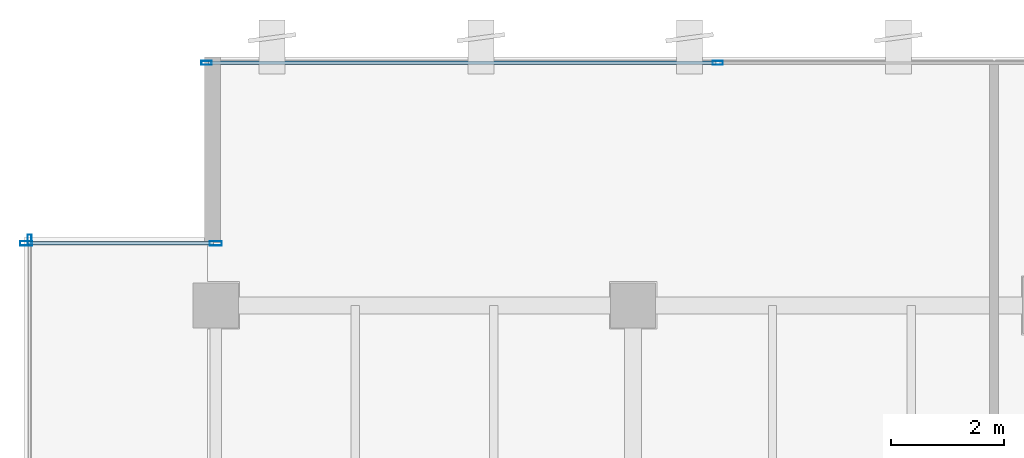
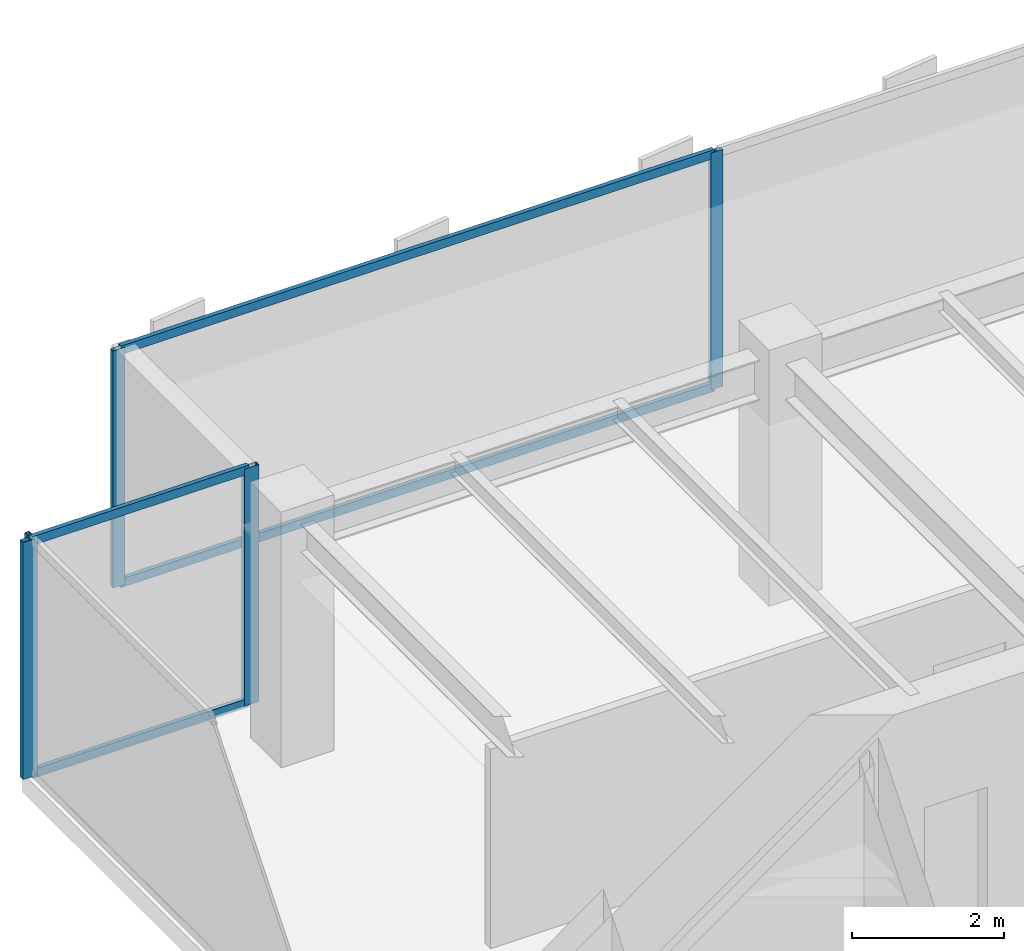
# One storey, part 15 of 36: 9 members, 3 elements without a shape of their own.
"""IFC4 building model written with IfcOpenShell, lengths in metres."""

from ifc_helpers import new_model, si_unit, direction, frame, origin, origin_2d, place, context, subcontext, project, spatial, hollow_rectangle, extrude, source, transform, mapped, material, layer, layer_set, material_profile, profile_set, type_object, type_shapes, element, aggregate, save


model = new_model("IFC4")

# Units and contexts
model_context = context("Model", 3, precision=1e-05, world=origin(), true_north=direction((0.0, 1.0)))
body_context = subcontext(model_context, "Body", "Model", "MODEL_VIEW")
ifc_project = project(units=[si_unit("LENGTHUNIT", "METRE"), si_unit("AREAUNIT", "SQUARE_METRE"), si_unit("VOLUMEUNIT", "CUBIC_METRE"), si_unit("PLANEANGLEUNIT", "RADIAN"), si_unit("MASSUNIT", "GRAM", prefix="KILO")], contexts=[model_context])

# Site, building, storey
site_placement = place(None, origin())
site = spatial("IfcSite", under=ifc_project, at=site_placement, CompositionType="ELEMENT")
building_placement = place(site_placement, origin())
building = spatial("IfcBuilding", under=site, at=building_placement, Name="Haelvirn Gate Laboratories", CompositionType="ELEMENT")
storey_placement = place(building_placement, frame((0.0, 0.0, 242.39990234375)))
storey = spatial("IfcBuildingStorey", under=building, at=storey_placement, Name="L58", CompositionType="ELEMENT", Elevation=242.39990234375)

# Curtain wall, members
ifc_material_1 = material(Name="Anodised bronze unitised aluminium & triple low-E glass", Category="aluminium")
ifc_layer_1 = layer(ifc_material_1, 0.181884765625, Name="CW-SYS-5")
ifc_layer_set_1 = layer_set([ifc_layer_1], Name="Anodised bronze unitised aluminium & triple low-E glass")
curtain_wall_type_1 = type_object("IfcCurtainWallType", Name="CW-SYS-5", PredefinedType="NOTDEFINED", material=ifc_layer_set_1)
curtain_wall_1_placement = place(storey_placement, origin())
curtain_wall_1 = element("IfcCurtainWall", 1, at=curtain_wall_1_placement, inside=storey, type_object=curtain_wall_type_1, Name="L58 Unitised Curtain Wall CW-L58-P0-E16-1", PredefinedType="NOTDEFINED")
ifc_material_2 = material(Name="Extruded aluminium 6063-T6 (anodised bronze)", Category="aluminium")
ifc_material_profile_1 = material_profile(ifc_material_2, hollow_rectangle(XDim=0.06494140625, YDim=0.139892578125, WallThickness=0.00390625, at=origin_2d()), Name="CWT-140x65x4")
ifc_profile_set_1 = profile_set([ifc_material_profile_1], Name="Extruded aluminium 6063-T6 (anodised bronze)")
member_type_1 = type_object("IfcMemberType", Name="CWT-T140", PredefinedType="USERDEFINED", material=ifc_profile_set_1)
shared_shape_1 = source(origin(), body_context, "Body", "SweptSolid", [
    extrude(hollow_rectangle(XDim=0.06494140625, YDim=0.139892578125, WallThickness=0.00390625, at=origin_2d()), origin(), (0.0, 0.0, 1.0), 3.280029296875),
])
member_1_placement = place(storey_placement, frame((4.080078125, 42.699951171875, 0.03271484375), z_axis=(1.0, 0.0, 0.0), x_axis=(0.0, 1.0, 0.0)))
member_1 = element("IfcMember", 2, at=member_1_placement, type_object=member_type_1, Name="CW5 transom 1.1", ObjectType="TRANSOM", PredefinedType="USERDEFINED", context=body_context, shape_type="MappedRepresentation", body=[
    mapped(shared_shape_1, transform((0.0, 0.0, 0.0), scale=1.0)),
])
member_2_placement = place(storey_placement, frame((4.080078125, 42.699951171875, 3.767578125), z_axis=(1.0, 0.0, 0.0), x_axis=(0.0, 1.0, 0.0)))
member_2 = element("IfcMember", 3, at=member_2_placement, type_object=member_type_1, Name="CW5 transom 1.2", ObjectType="TRANSOM", PredefinedType="USERDEFINED", context=body_context, shape_type="MappedRepresentation", body=[
    mapped(shared_shape_1, transform((0.0, 0.0, 0.0), scale=1.0)),
])

ifc_layer_2 = layer(ifc_material_1, 0.176025390625, Name="CW-SYS-4")
ifc_layer_set_2 = layer_set([ifc_layer_2], Name="Anodised bronze unitised aluminium & triple low-E glass")
curtain_wall_type_2 = type_object("IfcCurtainWallType", Name="CW-SYS-4", PredefinedType="NOTDEFINED", material=ifc_layer_set_2)
curtain_wall_2_placement = place(storey_placement, origin())
curtain_wall_2 = element("IfcCurtainWall", 4, at=curtain_wall_2_placement, inside=storey, type_object=curtain_wall_type_2, Name="L58 Unitised Curtain Wall CW-L58-P0-E14-1", PredefinedType="NOTDEFINED")
ifc_material_profile_2 = material_profile(ifc_material_2, hollow_rectangle(XDim=0.070068359375, YDim=0.179931640625, WallThickness=0.0048828125, at=origin_2d()), Name="CWM-180x70x5")
ifc_profile_set_2 = profile_set([ifc_material_profile_2], Name="Extruded aluminium 6063-T6 (anodised bronze)")
member_type_2 = type_object("IfcMemberType", Name="CWM-T180", PredefinedType="MULLION", material=ifc_profile_set_2)
shared_shape_2 = source(origin(), body_context, "Body", "SweptSolid", [
    extrude(hollow_rectangle(XDim=0.070068359375, YDim=0.179931640625, WallThickness=0.0048828125, at=origin_2d()), origin(), (0.0, 0.0, 1.0), 3.800048828125),
])
type_shapes(member_type_2, [shared_shape_2])
member_3_placement = place(storey_placement, frame((7.235107421875, 45.89990234375, 0.0), z_axis=(0.0, 0.0, 1.0), x_axis=(0.0, 1.0, 0.0)))
member_3 = element("IfcMember", 5, at=member_3_placement, type_object=member_type_2, Name="CW4 mullion 1", PredefinedType="MULLION", context=body_context, shape_type="MappedRepresentation", body=[
    mapped(shared_shape_2, transform((0.0, 0.0, 0.0), scale=1.0)),
])
member_4_placement = place(storey_placement, frame((16.300048828125, 45.89990234375, 0.0), z_axis=(0.0, 0.0, 1.0), x_axis=(0.0, 1.0, 0.0)))
member_4 = element("IfcMember", 6, at=member_4_placement, type_object=member_type_2, Name="CW4 mullion 2", PredefinedType="MULLION", context=body_context, shape_type="MappedRepresentation", body=[
    mapped(shared_shape_2, transform((0.0, 0.0, 0.0), scale=1.0)),
])

# Curtain wall, member
curtain_wall_3_placement = place(storey_placement, origin())
curtain_wall_3 = element("IfcCurtainWall", 7, at=curtain_wall_3_placement, inside=storey, type_object=curtain_wall_type_2, Name="L58 Unitised Curtain Wall CW-L58-P0-E17", PredefinedType="NOTDEFINED")
member_5_placement = place(storey_placement, frame((4.10009765625, 42.764892578125, 0.0), z_axis=(0.0, 0.0, 1.0), x_axis=(1.0, 0.0, 0.0)))
member_5 = element("IfcMember", 8, at=member_5_placement, type_object=member_type_2, Name="CW4 mullion 1", PredefinedType="MULLION", context=body_context, shape_type="MappedRepresentation", body=[
    mapped(shared_shape_2, transform((0.0, 0.0, 0.0), scale=1.0)),
])
aggregate(curtain_wall_3, [member_5])

# Member
shared_shape_3 = source(origin(), body_context, "Body", "SweptSolid", [
    extrude(hollow_rectangle(XDim=0.06494140625, YDim=0.139892578125, WallThickness=0.00390625, at=origin_2d()), origin(), (0.0, 0.0, 1.0), 8.994873046875),
])
type_shapes(member_type_1, [shared_shape_1, shared_shape_3])
member_6_placement = place(storey_placement, frame((7.27001953125, 45.89990234375, 0.03271484375), z_axis=(1.0, 0.0, 0.0), x_axis=(0.0, 1.0, 0.0)))
member_6 = element("IfcMember", 9, at=member_6_placement, type_object=member_type_1, Name="CW4 transom 1.1", ObjectType="TRANSOM", PredefinedType="USERDEFINED", context=body_context, shape_type="MappedRepresentation", body=[
    mapped(shared_shape_3, transform((0.0, 0.0, 0.0), scale=1.0)),
])

member_7_placement = place(storey_placement, frame((7.27001953125, 45.89990234375, 3.767578125), z_axis=(1.0, 0.0, 0.0), x_axis=(0.0, 1.0, 0.0)))
member_7 = element("IfcMember", 10, at=member_7_placement, type_object=member_type_1, Name="CW4 transom 1.2", ObjectType="TRANSOM", PredefinedType="USERDEFINED", context=body_context, shape_type="MappedRepresentation", body=[
    mapped(shared_shape_3, transform((0.0, 0.0, 0.0), scale=1.0)),
])

aggregate(curtain_wall_2, [member_3, member_4, member_6, member_7])

ifc_material_profile_3 = material_profile(ifc_material_2, hollow_rectangle(XDim=0.080078125, YDim=0.219970703125, WallThickness=0.006103515625, at=origin_2d()), Name="CWM-220x80x6")
ifc_profile_set_3 = profile_set([ifc_material_profile_3], Name="Extruded aluminium 6063-T6 (anodised bronze)")
member_type_3 = type_object("IfcMemberType", Name="CWM-T220", PredefinedType="MULLION", material=ifc_profile_set_3)
shared_shape_4 = source(origin(), body_context, "Body", "SweptSolid", [
    extrude(hollow_rectangle(XDim=0.080078125, YDim=0.219970703125, WallThickness=0.006103515625, at=origin_2d()), origin(), (0.0, 0.0, 1.0), 3.800048828125),
])
type_shapes(member_type_3, [shared_shape_4])
member_8_placement = place(storey_placement, frame((4.0400390625, 42.699951171875, 0.0), z_axis=(0.0, 0.0, 1.0), x_axis=(0.0, 1.0, 0.0)))
member_8 = element("IfcMember", 11, at=member_8_placement, type_object=member_type_3, Name="CW5 mullion 1", PredefinedType="MULLION", context=body_context, shape_type="MappedRepresentation", body=[
    mapped(shared_shape_4, transform((0.0, 0.0, 0.0), scale=1.0)),
])

member_9_placement = place(storey_placement, frame((7.39990234375, 42.699951171875, 0.0), z_axis=(0.0, 0.0, 1.0), x_axis=(0.0, 1.0, 0.0)))
member_9 = element("IfcMember", 12, at=member_9_placement, type_object=member_type_3, Name="CW5 mullion 2", PredefinedType="MULLION", context=body_context, shape_type="MappedRepresentation", body=[
    mapped(shared_shape_4, transform((0.0, 0.0, 0.0), scale=1.0)),
])

aggregate(curtain_wall_1, [member_8, member_9, member_1, member_2])

save(model, "model.ifc")
